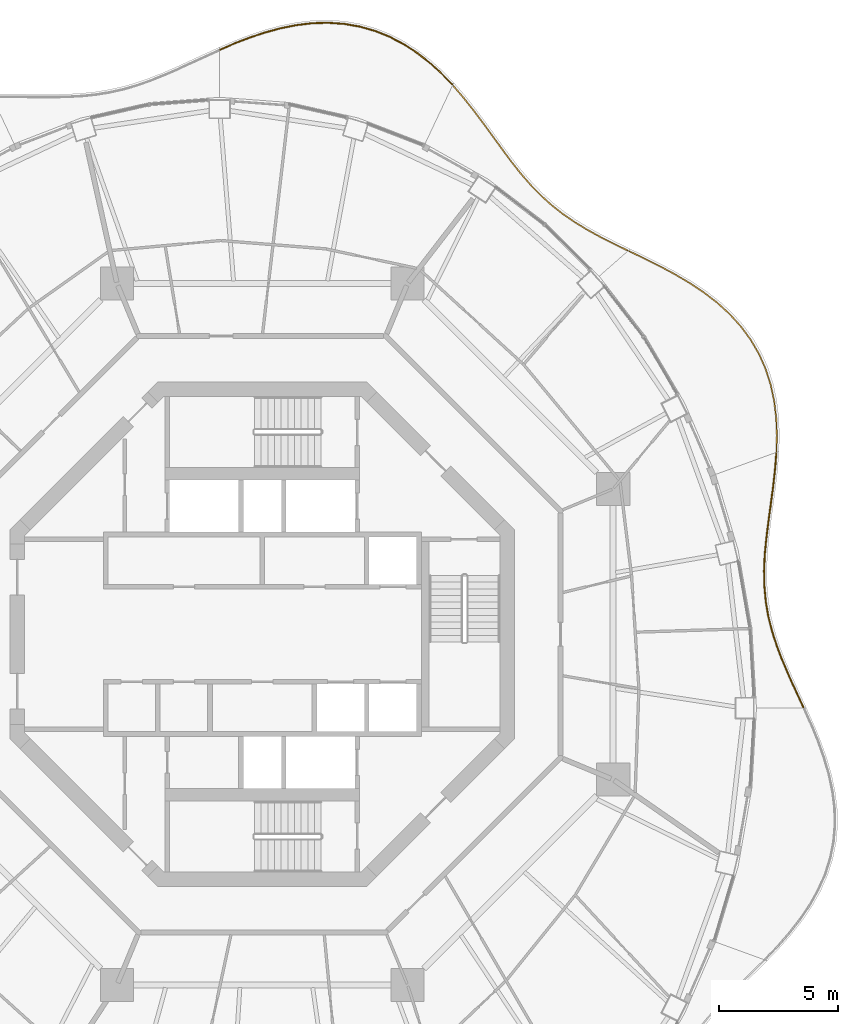
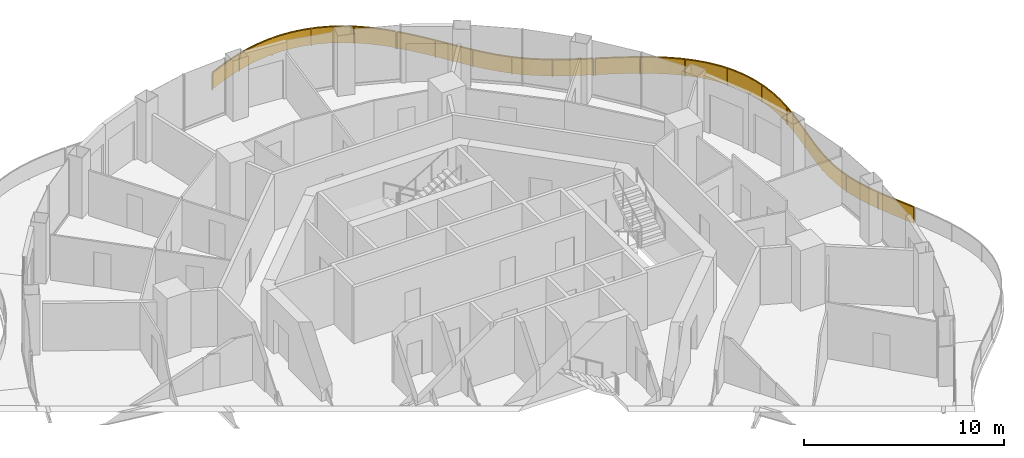
# One storey, part 17 of 17: 4 railings.
"""IFC4 building model written with IfcOpenShell, lengths in metres."""

from ifc_helpers import new_model, si_unit, direction, frame, origin, origin_2d, place, context, subcontext, project, spatial, polyline, rectangle, outline, extrude, material, type_object, element, save


model = new_model("IFC4")

# Units and contexts
model_context = context("Model", 3, precision=1e-05, world=origin(), true_north=direction((0.0, 1.0)))
body_context = subcontext(model_context, "Body", "Model", "MODEL_VIEW")
ifc_project = project(units=[si_unit("LENGTHUNIT", "METRE"), si_unit("AREAUNIT", "SQUARE_METRE"), si_unit("VOLUMEUNIT", "CUBIC_METRE"), si_unit("PLANEANGLEUNIT", "RADIAN"), si_unit("MASSUNIT", "GRAM", prefix="KILO")], contexts=[model_context])

# Site, building, storey
site_placement = place(None, origin())
site = spatial("IfcSite", under=ifc_project, at=site_placement, CompositionType="ELEMENT")
building_placement = place(site_placement, origin())
building = spatial("IfcBuilding", under=site, at=building_placement, Name="Nagisa Residences", CompositionType="ELEMENT")
storey_placement = place(building_placement, frame((0.0, 0.0, 291.800048828125)))
storey = spatial("IfcBuildingStorey", under=building, at=storey_placement, Name="L74", CompositionType="ELEMENT", Elevation=291.800048828125)

# Railings
ifc_material = material(Name="Stainless steel 316", Category="steel")
railing_type = type_object("IfcRailingType", Name="BALCONY GUARD 1100", PredefinedType="BALUSTRADE", material=ifc_material)
railing_1_placement = place(storey_placement, frame((22.798583984375, -3.08349609375, 0.0)))
element("IfcRailing", 1, at=railing_1_placement, inside=storey, type_object=railing_type, Name="guard:L74:bal00-0", PredefinedType="BALUSTRADE", context=body_context, shape_type="SweptSolid", body=[
    extrude(outline(polyline([(-0.313232421875, 0.615478515625), (-0.022705078125, -0.010498046875), (0.022705078125, 0.010498046875), (-0.267822265625, 0.636474609375), (-0.566162109375, 1.291015625), (-0.84326171875, 1.934814453125), (-1.088623046875, 2.57080078125), (-1.29345703125, 3.202880859375), (-1.450927734375, 3.82080078125), (-1.560302734375, 4.45654296875), (-1.62060546875, 5.1005859375), (-1.63330078125, 5.75634765625), (-1.60498046875, 6.426513671875), (-1.539306640625, 7.099609375), (-1.453125, 7.8037109375), (-1.354736328125, 8.523681640625), (-1.2568359375, 9.2578125), (-1.1728515625, 10.0029296875), (-1.1171875, 10.708251953125), (-1.1669921875, 10.712158203125), (-1.22265625, 10.0078125), (-1.306640625, 9.26416015625), (-1.404541015625, 8.530517578125), (-1.5029296875, 7.81005859375), (-1.589111328125, 7.10498046875), (-1.65478515625, 6.429931640625), (-1.68359375, 5.7568359375), (-1.67041015625, 5.09765625), (-1.610107421875, 4.4501953125), (-1.499755859375, 3.810546875), (-1.341796875, 3.189208984375), (-1.135986328125, 2.55419921875), (-0.8896484375, 1.915771484375), (-0.612060546875, 1.2705078125), (-0.313232421875, 0.615478515625)])), frame((0.0, 0.0, 1.050048828125)), (0.0, 0.0, 1.0), 0.050048828125),
    extrude(outline(polyline([(-0.296875, 0.623046875), (-0.00634765625, -0.0029296875), (0.00634765625, 0.0029296875), (-0.2841796875, 0.62890625), (-0.582763671875, 1.28369140625), (-0.85986328125, 1.927978515625), (-1.105712890625, 2.56494140625), (-1.310791015625, 3.197998046875), (-1.468505859375, 3.817138671875), (-1.578369140625, 4.454345703125), (-1.638427734375, 5.099609375), (-1.6513671875, 5.756591796875), (-1.622802734375, 6.427734375), (-1.55712890625, 7.1015625), (-1.47119140625, 7.805908203125), (-1.372802734375, 8.526123046875), (-1.27490234375, 9.260009765625), (-1.190673828125, 10.004638671875), (-1.135009765625, 10.709716796875), (-1.149169921875, 10.710693359375), (-1.204833984375, 10.006103515625), (-1.28857421875, 9.261962890625), (-1.386474609375, 8.528076171875), (-1.48486328125, 7.807861328125), (-1.5712890625, 7.10302734375), (-1.636962890625, 6.4287109375), (-1.66552734375, 5.756591796875), (-1.652587890625, 5.0986328125), (-1.592041015625, 4.452392578125), (-1.482177734375, 3.814208984375), (-1.324462890625, 3.194091796875), (-1.118896484375, 2.56005859375), (-0.873046875, 1.922607421875), (-0.595458984375, 1.27783203125), (-0.296875, 0.623046875)])), frame((0.0, 0.0, 0.06005859375)), (0.0, 0.0, 1.0), 0.989990234375),
    extrude(rectangle(XDim=0.0400390625, YDim=0.0400390625, at=origin_2d()), origin(), (0.0, 0.0, 1.0), 1.050048828125),
    extrude(rectangle(XDim=0.0400390625, YDim=0.0400390625, at=origin_2d()), frame((-0.90087890625, 2.0146484375, 0.0)), (0.0, 0.0, 1.0), 1.050048828125),
    extrude(rectangle(XDim=0.0400390625, YDim=0.0400390625, at=origin_2d()), frame((-1.52880859375, 4.125732421875, 0.0)), (0.0, 0.0, 1.0), 1.050048828125),
    extrude(rectangle(XDim=0.0400390625, YDim=0.0400390625, at=origin_2d()), frame((-1.63427734375, 6.324462890625, 0.0)), (0.0, 0.0, 1.0), 1.050048828125),
    extrude(rectangle(XDim=0.0400390625, YDim=0.0400390625, at=origin_2d()), frame((-1.381103515625, 8.5166015625, 0.0)), (0.0, 0.0, 1.0), 1.050048828125),
    extrude(rectangle(XDim=0.0400390625, YDim=0.0400390625, at=origin_2d()), frame((-1.14208984375, 10.710205078125, 0.0)), (0.0, 0.0, 1.0), 1.050048828125),
])
railing_2_placement = place(storey_placement, frame((21.66162109375, 7.70361328125, 0.0)))
element("IfcRailing", 2, at=railing_2_placement, inside=storey, type_object=railing_type, Name="guard:L74:bal01-0", PredefinedType="BALUSTRADE", context=body_context, shape_type="SweptSolid", body=[
    extrude(outline(polyline([(-0.00634765625, 0.681640625), (-0.02490234375, 0.000732421875), (0.02490234375, -0.000732421875), (0.0439453125, 0.68212890625), (0.0146484375, 1.4052734375), (-0.070556640625, 2.116943359375), (-0.218017578125, 2.810302734375), (-0.43212890625, 3.479736328125), (-0.708984375, 4.1064453125), (-1.060302734375, 4.711181640625), (-1.4775390625, 5.27783203125), (-1.95458984375, 5.8037109375), (-2.4853515625, 6.28857421875), (-3.052978515625, 6.72119140625), (-3.66259765625, 7.126953125), (-4.296630859375, 7.5), (-4.944580078125, 7.845458984375), (-5.595458984375, 8.169921875), (-6.20068359375, 8.459716796875), (-6.22216796875, 8.414794921875), (-5.617431640625, 8.125), (-4.967529296875, 7.801025390625), (-4.321044921875, 7.45654296875), (-3.68896484375, 7.08447265625), (-3.082275390625, 6.68017578125), (-2.517578125, 6.25), (-1.990234375, 5.7685546875), (-1.51611328125, 5.24609375), (-1.102294921875, 4.683837890625), (-0.75341796875, 4.08349609375), (-0.47900390625, 3.462158203125), (-0.266357421875, 2.797607421875), (-0.119873046875, 2.108642578125), (-0.03515625, 1.4013671875), (-0.00634765625, 0.681640625)])), frame((0.0, 0.0, 1.050048828125)), (0.0, 0.0, 1.0), 0.050048828125),
    extrude(outline(polyline([(0.01171875, 0.681884765625), (-0.007080078125, 0.000244140625), (0.007080078125, -0.000244140625), (0.02587890625, 0.681884765625), (-0.003173828125, 1.40380859375), (-0.08837890625, 2.114013671875), (-0.2353515625, 2.8056640625), (-0.448974609375, 3.473388671875), (-0.724853515625, 4.09814453125), (-1.075439453125, 4.701416015625), (-1.491455078125, 5.266357421875), (-1.967529296875, 5.791015625), (-2.4970703125, 6.274658203125), (-3.0634765625, 6.706298828125), (-3.672119140625, 7.111572265625), (-4.305419921875, 7.484375), (-4.952880859375, 7.829345703125), (-5.603271484375, 8.15380859375), (-6.20849609375, 8.443603515625), (-6.21435546875, 8.430908203125), (-5.609619140625, 8.14111328125), (-4.959228515625, 7.817138671875), (-4.312255859375, 7.47216796875), (-3.679443359375, 7.099853515625), (-3.07177734375, 6.695068359375), (-2.505859375, 6.263916015625), (-1.977294921875, 5.78125), (-1.502197265625, 5.257568359375), (-1.087158203125, 4.693603515625), (-0.737548828125, 4.091796875), (-0.462158203125, 3.468505859375), (-0.2490234375, 2.80224609375), (-0.10205078125, 2.111572265625), (-0.017333984375, 1.40283203125), (0.01171875, 0.681884765625)])), frame((0.0, 0.0, 0.06005859375)), (0.0, 0.0, 1.0), 0.989990234375),
    extrude(rectangle(XDim=0.0400390625, YDim=0.0400390625, at=origin_2d()), origin(), (0.0, 0.0, 1.0), 1.050048828125),
    extrude(rectangle(XDim=0.0400390625, YDim=0.0400390625, at=origin_2d()), frame((-0.126220703125, 2.25830078125, 0.0)), (0.0, 0.0, 1.0), 1.050048828125),
    extrude(rectangle(XDim=0.0400390625, YDim=0.0400390625, at=origin_2d()), frame((-0.895751953125, 4.3779296875, 0.0)), (0.0, 0.0, 1.0), 1.050048828125),
    extrude(rectangle(XDim=0.0400390625, YDim=0.0400390625, at=origin_2d()), frame((-2.333740234375, 6.1162109375, 0.0)), (0.0, 0.0, 1.0), 1.050048828125),
    extrude(rectangle(XDim=0.0400390625, YDim=0.0400390625, at=origin_2d()), frame((-4.191162109375, 7.408935546875, 0.0)), (0.0, 0.0, 1.0), 1.050048828125),
    extrude(rectangle(XDim=0.0400390625, YDim=0.0400390625, at=origin_2d()), frame((-6.21142578125, 8.437255859375, 0.0)), (0.0, 0.0, 1.0), 1.050048828125),
])
railing_3_placement = place(storey_placement, frame((15.381591796875, 16.171875, 0.0)))
element("IfcRailing", 3, at=railing_3_placement, inside=storey, type_object=railing_type, Name="guard:L74:bal02-0", PredefinedType="BALUSTRADE", context=body_context, shape_type="SweptSolid", body=[
    extrude(outline(polyline([(-0.57177734375, 0.24853515625), (-0.010986328125, -0.0224609375), (0.010986328125, 0.0224609375), (-0.54931640625, 0.29345703125), (-1.129638671875, 0.5888671875), (-1.685302734375, 0.894287109375), (-2.21337890625, 1.21630859375), (-2.713134765625, 1.561279296875), (-3.173095703125, 1.922607421875), (-3.619384765625, 2.324951171875), (-4.0439453125, 2.759521484375), (-4.451171875, 3.225830078125), (-4.84765625, 3.721435546875), (-5.2255859375, 4.234619140625), (-5.6201171875, 4.776611328125), (-6.023681640625, 5.331787109375), (-6.442626953125, 5.89111328125), (-6.883056640625, 6.44482421875), (-7.316650390625, 6.94921875), (-7.354736328125, 6.91650390625), (-6.921630859375, 6.4130859375), (-6.482177734375, 5.8603515625), (-6.063720703125, 5.302001953125), (-5.66064453125, 4.747314453125), (-5.26611328125, 4.204833984375), (-4.88720703125, 3.691162109375), (-4.48974609375, 3.193603515625), (-4.08056640625, 2.725341796875), (-3.654052734375, 2.288818359375), (-3.205322265625, 1.884521484375), (-2.742919921875, 1.520751953125), (-2.24072265625, 1.17431640625), (-1.710205078125, 0.850830078125), (-1.153076171875, 0.54443359375), (-0.57177734375, 0.24853515625)])), frame((0.0, 0.0, 1.050048828125)), (0.0, 0.0, 1.0), 0.050048828125),
    extrude(outline(polyline([(-0.563720703125, 0.2646484375), (-0.0029296875, -0.00634765625), (0.0029296875, 0.00634765625), (-0.557373046875, 0.27734375), (-1.13818359375, 0.57275390625), (-1.6943359375, 0.878662109375), (-2.22314453125, 1.201171875), (-2.723876953125, 1.546630859375), (-3.184814453125, 1.908935546875), (-3.6318359375, 2.31201171875), (-4.05712890625, 2.7470703125), (-4.465087890625, 3.214111328125), (-4.86181640625, 3.71044921875), (-5.240234375, 4.223876953125), (-5.634765625, 4.76611328125), (-6.0380859375, 5.321044921875), (-6.456787109375, 5.880126953125), (-6.89697265625, 6.433349609375), (-7.330322265625, 6.9375), (-7.341064453125, 6.92822265625), (-6.90771484375, 6.424560546875), (-6.468017578125, 5.871337890625), (-6.04931640625, 5.312744140625), (-5.64599609375, 4.7578125), (-5.25146484375, 4.215576171875), (-4.873046875, 3.7021484375), (-4.475830078125, 3.205322265625), (-4.0673828125, 2.73779296875), (-3.6416015625, 2.3017578125), (-3.193603515625, 1.898193359375), (-2.732177734375, 1.535400390625), (-2.23095703125, 1.189453125), (-1.701171875, 0.866455078125), (-1.14453125, 0.560546875), (-0.563720703125, 0.2646484375)])), frame((0.0, 0.0, 0.06005859375)), (0.0, 0.0, 1.0), 0.989990234375),
    extrude(rectangle(XDim=0.0400390625, YDim=0.0400390625, at=origin_2d()), origin(), (0.0, 0.0, 1.0), 1.050048828125),
    extrude(rectangle(XDim=0.0400390625, YDim=0.0400390625, at=origin_2d()), frame((-1.81884765625, 0.946533203125, 0.0)), (0.0, 0.0, 1.0), 1.050048828125),
    extrude(rectangle(XDim=0.0400390625, YDim=0.0400390625, at=origin_2d()), frame((-3.469970703125, 2.156494140625, 0.0)), (0.0, 0.0, 1.0), 1.050048828125),
    extrude(rectangle(XDim=0.0400390625, YDim=0.0400390625, at=origin_2d()), frame((-4.843505859375, 3.67626953125, 0.0)), (0.0, 0.0, 1.0), 1.050048828125),
    extrude(rectangle(XDim=0.0400390625, YDim=0.0400390625, at=origin_2d()), frame((-6.0546875, 5.331787109375, 0.0)), (0.0, 0.0, 1.0), 1.050048828125),
    extrude(rectangle(XDim=0.0400390625, YDim=0.0400390625, at=origin_2d()), frame((-7.335693359375, 6.932861328125, 0.0)), (0.0, 0.0, 1.0), 1.050048828125),
])
railing_4_placement = place(storey_placement, frame((7.994873046875, 23.162353515625, 0.0)))
element("IfcRailing", 4, at=railing_4_placement, inside=storey, type_object=railing_type, Name="guard:L74:bal03-0", PredefinedType="BALUSTRADE", context=body_context, shape_type="SweptSolid", body=[
    extrude(outline(polyline([(-0.4599609375, 0.443603515625), (-0.01806640625, -0.017333984375), (0.01806640625, 0.017333984375), (-0.4248046875, 0.479736328125), (-0.932373046875, 0.940185546875), (-1.469970703125, 1.358154296875), (-2.037353515625, 1.725830078125), (-2.632080078125, 2.035888671875), (-3.23681640625, 2.279296875), (-3.87890625, 2.461669921875), (-4.537841796875, 2.57666015625), (-5.20849609375, 2.62451171875), (-5.8857421875, 2.607177734375), (-6.54833984375, 2.526611328125), (-7.22119140625, 2.393798828125), (-7.888671875, 2.213623046875), (-8.544677734375, 1.99462890625), (-9.18701171875, 1.746337890625), (-9.770263671875, 1.493896484375), (-9.750244140625, 1.447998046875), (-9.16796875, 1.699951171875), (-8.527587890625, 1.94775390625), (-7.8740234375, 2.165771484375), (-7.2099609375, 2.344970703125), (-6.54052734375, 2.477294921875), (-5.8818359375, 2.557373046875), (-5.20947265625, 2.57421875), (-4.543701171875, 2.52685546875), (-3.89013671875, 2.412841796875), (-3.2529296875, 2.23193359375), (-2.653076171875, 1.990478515625), (-2.062744140625, 1.682373046875), (-1.498779296875, 1.317138671875), (-0.964599609375, 0.901611328125), (-0.4599609375, 0.443603515625)])), frame((0.0, 0.0, 1.050048828125)), (0.0, 0.0, 1.0), 0.050048828125),
    extrude(outline(polyline([(-0.447265625, 0.45654296875), (-0.005126953125, -0.0048828125), (0.005126953125, 0.0048828125), (-0.4375, 0.466796875), (-0.944091796875, 0.92626953125), (-1.480224609375, 1.34326171875), (-2.046630859375, 1.710205078125), (-2.6396484375, 2.01953125), (-3.24267578125, 2.26220703125), (-3.883056640625, 2.444091796875), (-4.5400390625, 2.55859375), (-5.208740234375, 2.6064453125), (-5.88427734375, 2.58935546875), (-6.545654296875, 2.5087890625), (-7.21728515625, 2.376220703125), (-7.88330078125, 2.1962890625), (-8.53857421875, 1.977783203125), (-9.18017578125, 1.729736328125), (-9.762939453125, 1.477294921875), (-9.757568359375, 1.464599609375), (-9.1748046875, 1.716552734375), (-8.53369140625, 1.964599609375), (-7.87939453125, 2.18310546875), (-7.2138671875, 2.362548828125), (-6.543212890625, 2.4951171875), (-5.88330078125, 2.5751953125), (-5.209228515625, 2.59228515625), (-4.54150390625, 2.544921875), (-3.885986328125, 2.430419921875), (-3.2470703125, 2.2490234375), (-2.6455078125, 2.0068359375), (-2.053466796875, 1.697998046875), (-1.488525390625, 1.33203125), (-0.952880859375, 0.91552734375), (-0.447265625, 0.45654296875)])), frame((0.0, 0.0, 0.06005859375)), (0.0, 0.0, 1.0), 0.989990234375),
    extrude(rectangle(XDim=0.0400390625, YDim=0.0400390625, at=origin_2d()), origin(), (0.0, 0.0, 1.0), 1.050048828125),
    extrude(rectangle(XDim=0.0400390625, YDim=0.0400390625, at=origin_2d()), frame((-1.60400390625, 1.415283203125, 0.0)), (0.0, 0.0, 1.0), 1.050048828125),
    extrude(rectangle(XDim=0.0400390625, YDim=0.0400390625, at=origin_2d()), frame((-3.529052734375, 2.336181640625, 0.0)), (0.0, 0.0, 1.0), 1.050048828125),
    extrude(rectangle(XDim=0.0400390625, YDim=0.0400390625, at=origin_2d()), frame((-5.6474609375, 2.58837890625, 0.0)), (0.0, 0.0, 1.0), 1.050048828125),
    extrude(rectangle(XDim=0.0400390625, YDim=0.0400390625, at=origin_2d()), frame((-7.754638671875, 2.223876953125, 0.0)), (0.0, 0.0, 1.0), 1.050048828125),
    extrude(rectangle(XDim=0.0400390625, YDim=0.0400390625, at=origin_2d()), frame((-9.76025390625, 1.470947265625, 0.0)), (0.0, 0.0, 1.0), 1.050048828125),
])

save(model, "model.ifc")
